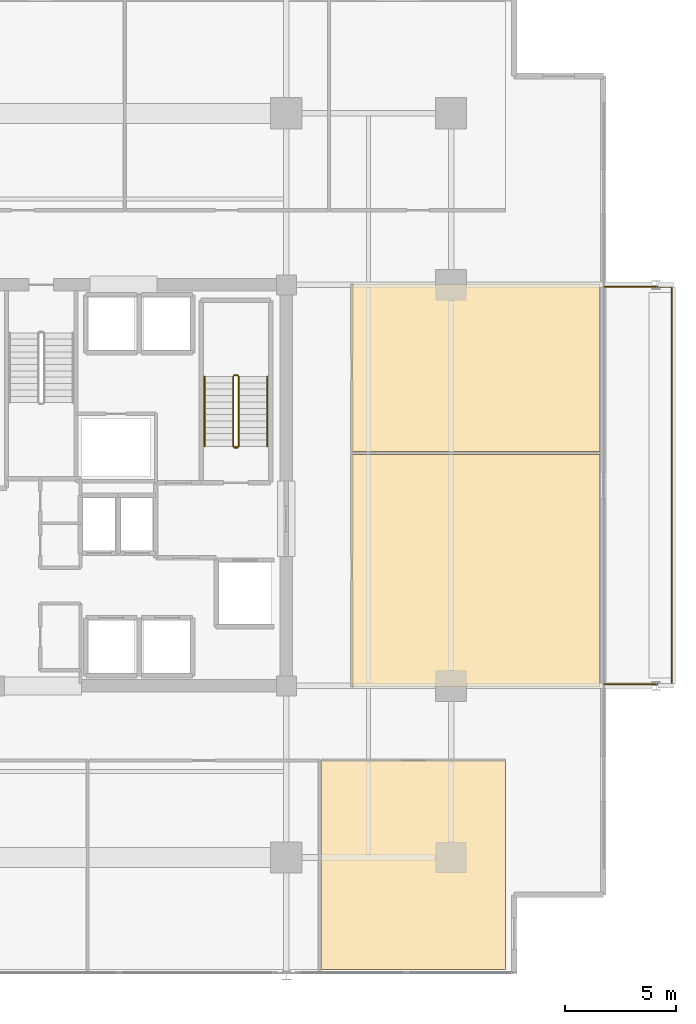
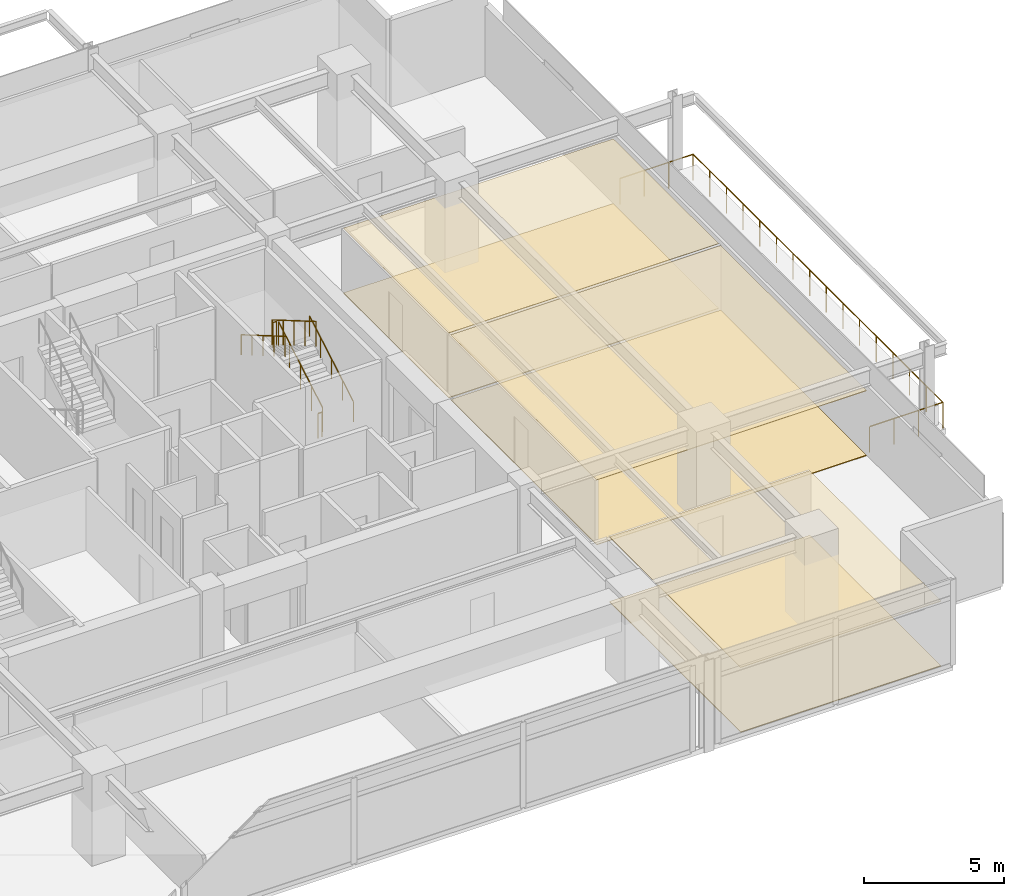
# One storey, part 19 of 20: 7 railings, 6 coverings.
"""IFC4 building model written with IfcOpenShell, lengths in metres."""

from ifc_helpers import new_model, si_unit, direction, frame, origin, origin_2d, place, context, subcontext, project, spatial, polyline, circle, outline, extrude, material, layer, layer_set, type_object, element, save


model = new_model("IFC4")

# Units and contexts
model_context = context("Model", 3, precision=1e-05, world=origin(), true_north=direction((0.0, 1.0)))
body_context = subcontext(model_context, "Body", "Model", "MODEL_VIEW")
ifc_project = project(units=[si_unit("LENGTHUNIT", "METRE"), si_unit("AREAUNIT", "SQUARE_METRE"), si_unit("VOLUMEUNIT", "CUBIC_METRE"), si_unit("PLANEANGLEUNIT", "RADIAN"), si_unit("MASSUNIT", "GRAM", prefix="KILO")], contexts=[model_context])

# Site, building, storey
site_placement = place(None, origin())
site = spatial("IfcSite", under=ifc_project, at=site_placement, CompositionType="ELEMENT")
building_placement = place(site_placement, origin())
building = spatial("IfcBuilding", under=site, at=building_placement, Name="Kovane Verandah Tower", CompositionType="ELEMENT")
storey_placement = place(building_placement, frame((0.0, 0.0, 213.199951171875)))
storey = spatial("IfcBuildingStorey", under=building, at=storey_placement, Name="L49", CompositionType="ELEMENT", Elevation=213.199951171875)

# Coverings
ifc_material_1 = material(Name="Perforated Acoustic Mineral-Fibre Ceiling Tile", Category="gypsum")
ifc_layer_1 = layer(ifc_material_1, 0.02490234375)
ifc_layer_set_1 = layer_set([ifc_layer_1], Name="Perforated Acoustic Mineral-Fibre Ceiling Tile")
covering_type_1 = type_object("IfcCoveringType", Name="CV-CEIL-25", PredefinedType="CEILING", material=ifc_layer_set_1)
covering_1_placement = place(storey_placement, frame((0.0, 0.0, 2.824951171875)))
element("IfcCovering", 1, at=covering_1_placement, inside=storey, type_object=covering_type_1, Name="L49 Executive Office S4 Acoustic Ceiling", PredefinedType="CEILING", context=body_context, shape_type="SweptSolid", body=[
    extrude(outline(polyline([(52.569091796875, 5.769287109375), (60.831787109375, 5.769287109375), (60.831787109375, 15.14990234375), (52.569091796875, 15.14990234375), (52.569091796875, 5.769287109375)])), origin(), (0.0, 0.0, 1.0), 0.025146484375),
])
covering_2_placement = place(storey_placement, frame((0.0, 0.0, 2.824951171875)))
element("IfcCovering", 2, at=covering_2_placement, inside=storey, type_object=covering_type_1, Name="L49 Focus Studio E1 Acoustic Ceiling", PredefinedType="CEILING", context=body_context, shape_type="SweptSolid", body=[
    extrude(outline(polyline([(53.949951171875, 18.449951171875), (65.081787109375, 18.449951171875), (65.081787109375, 28.8779296875), (53.949951171875, 28.8779296875), (53.949951171875, 18.449951171875)])), origin(), (0.0, 0.0, 1.0), 0.025146484375),
])
covering_3_placement = place(storey_placement, frame((0.0, 0.0, 2.824951171875)))
element("IfcCovering", 3, at=covering_3_placement, inside=storey, type_object=covering_type_1, Name="L49 Breakout Pantry E2 Acoustic Ceiling", PredefinedType="CEILING", context=body_context, shape_type="SweptSolid", body=[
    extrude(outline(polyline([(53.949951171875, 29.01806640625), (65.081787109375, 29.01806640625), (65.081787109375, 36.550048828125), (53.949951171875, 36.550048828125), (53.949951171875, 29.01806640625)])), origin(), (0.0, 0.0, 1.0), 0.025146484375),
])
ifc_material_2 = material(Name="Polished Terrazzo and Raised-Access Carpet Tile Finish", Category="concrete")
ifc_layer_2 = layer(ifc_material_2, 0.030029296875)
ifc_layer_set_2 = layer_set([ifc_layer_2], Name="Polished Terrazzo and Raised-Access Carpet Tile Finish")
covering_type_2 = type_object("IfcCoveringType", Name="CV-FLOR-30", PredefinedType="FLOORING", material=ifc_layer_set_2)
covering_4_placement = place(storey_placement, origin())
element("IfcCovering", 4, at=covering_4_placement, inside=storey, type_object=covering_type_2, Name="L49 Executive Office S4 Floor Finish", PredefinedType="FLOORING", context=body_context, shape_type="SweptSolid", body=[
    extrude(outline(polyline([(52.569091796875, 5.769287109375), (60.831787109375, 5.769287109375), (60.831787109375, 15.14990234375), (52.569091796875, 15.14990234375), (52.569091796875, 5.769287109375)])), origin(), (0.0, 0.0, 1.0), 0.030029296875),
])
covering_5_placement = place(storey_placement, origin())
element("IfcCovering", 5, at=covering_5_placement, inside=storey, type_object=covering_type_2, Name="L49 Focus Studio E1 Floor Finish", PredefinedType="FLOORING", context=body_context, shape_type="SweptSolid", body=[
    extrude(outline(polyline([(53.949951171875, 18.449951171875), (65.081787109375, 18.449951171875), (65.081787109375, 28.8779296875), (53.949951171875, 28.8779296875), (53.949951171875, 18.449951171875)])), origin(), (0.0, 0.0, 1.0), 0.030029296875),
])
covering_6_placement = place(storey_placement, origin())
element("IfcCovering", 6, at=covering_6_placement, inside=storey, type_object=covering_type_2, Name="L49 Breakout Pantry E2 Floor Finish", PredefinedType="FLOORING", context=body_context, shape_type="SweptSolid", body=[
    extrude(outline(polyline([(53.949951171875, 29.01806640625), (65.081787109375, 29.01806640625), (65.081787109375, 36.550048828125), (53.949951171875, 36.550048828125), (53.949951171875, 29.01806640625)])), origin(), (0.0, 0.0, 1.0), 0.030029296875),
])

# Railings
ifc_material_3 = material(Name="Laminated Glass and Pale-Champagne Stainless Balustrade", Category="glass")
railing_type_1 = type_object("IfcRailingType", Name="RL-BAL-1150", PredefinedType="BALUSTRADE", material=ifc_material_3)
railing_1_placement = place(storey_placement, frame((65.28173828125, 18.580078125, 0.0)))
element("IfcRailing", 7, at=railing_1_placement, inside=storey, type_object=railing_type_1, Name="L49 E Verandah Glass Balustrade", PredefinedType="BALUSTRADE", context=body_context, shape_type="SweptSolid", body=[
    extrude(circle(Radius=0.02392578125, at=origin_2d()), frame((0.0, 0.0, 1.1259765625), z_axis=(1.0, 0.0, 0.0), x_axis=(0.0, 1.0, 0.0)), (0.0, 0.0, 1.0), 3.02001953125),
    extrude(circle(Radius=0.02392578125, at=origin_2d()), frame((3.02001953125, 0.0, 1.1259765625), z_axis=(0.0, 1.0, 0.0), x_axis=(-1.0, 0.0, 0.0)), (0.0, 0.0, 1.0), 17.83984375),
    extrude(circle(Radius=0.02392578125, at=origin_2d()), frame((3.02001953125, 17.83984375, 1.1259765625), z_axis=(-1.0, 0.0, 0.0), x_axis=(0.0, -1.0, 0.0)), (0.0, 0.0, 1.0), 3.02001953125),
    extrude(circle(Radius=0.02099609375, at=origin_2d()), origin(), (0.0, 0.0, 1.0), 1.101806640625),
    extrude(circle(Radius=0.02099609375, at=origin_2d()), frame((1.006591796875, 0.0, 0.0)), (0.0, 0.0, 1.0), 1.101806640625),
    extrude(circle(Radius=0.02099609375, at=origin_2d()), frame((2.013427734375, 0.0, 0.0)), (0.0, 0.0, 1.0), 1.101806640625),
    extrude(circle(Radius=0.02099609375, at=origin_2d()), frame((3.02001953125, 0.0, 0.0)), (0.0, 0.0, 1.0), 1.101806640625),
    extrude(circle(Radius=0.02099609375, at=origin_2d()), frame((3.02001953125, 1.189208984375, 0.0)), (0.0, 0.0, 1.0), 1.101806640625),
    extrude(circle(Radius=0.02099609375, at=origin_2d()), frame((3.02001953125, 2.378662109375, 0.0)), (0.0, 0.0, 1.0), 1.101806640625),
    extrude(circle(Radius=0.02099609375, at=origin_2d()), frame((3.02001953125, 3.56787109375, 0.0)), (0.0, 0.0, 1.0), 1.101806640625),
    extrude(circle(Radius=0.02099609375, at=origin_2d()), frame((3.02001953125, 4.75732421875, 0.0)), (0.0, 0.0, 1.0), 1.101806640625),
    extrude(circle(Radius=0.02099609375, at=origin_2d()), frame((3.02001953125, 5.946533203125, 0.0)), (0.0, 0.0, 1.0), 1.101806640625),
    extrude(circle(Radius=0.02099609375, at=origin_2d()), frame((3.02001953125, 7.135986328125, 0.0)), (0.0, 0.0, 1.0), 1.101806640625),
    extrude(circle(Radius=0.02099609375, at=origin_2d()), frame((3.02001953125, 8.3251953125, 0.0)), (0.0, 0.0, 1.0), 1.101806640625),
    extrude(circle(Radius=0.02099609375, at=origin_2d()), frame((3.02001953125, 9.5146484375, 0.0)), (0.0, 0.0, 1.0), 1.101806640625),
    extrude(circle(Radius=0.02099609375, at=origin_2d()), frame((3.02001953125, 10.703857421875, 0.0)), (0.0, 0.0, 1.0), 1.101806640625),
    extrude(circle(Radius=0.02099609375, at=origin_2d()), frame((3.02001953125, 11.893310546875, 0.0)), (0.0, 0.0, 1.0), 1.101806640625),
    extrude(circle(Radius=0.02099609375, at=origin_2d()), frame((3.02001953125, 13.08251953125, 0.0)), (0.0, 0.0, 1.0), 1.101806640625),
    extrude(circle(Radius=0.02099609375, at=origin_2d()), frame((3.02001953125, 14.27197265625, 0.0)), (0.0, 0.0, 1.0), 1.101806640625),
    extrude(circle(Radius=0.02099609375, at=origin_2d()), frame((3.02001953125, 15.461181640625, 0.0)), (0.0, 0.0, 1.0), 1.101806640625),
    extrude(circle(Radius=0.02099609375, at=origin_2d()), frame((3.02001953125, 16.650634765625, 0.0)), (0.0, 0.0, 1.0), 1.101806640625),
    extrude(circle(Radius=0.02099609375, at=origin_2d()), frame((3.02001953125, 17.83984375, 0.0)), (0.0, 0.0, 1.0), 1.101806640625),
    extrude(circle(Radius=0.02099609375, at=origin_2d()), frame((2.013427734375, 17.83984375, 0.0)), (0.0, 0.0, 1.0), 1.101806640625),
    extrude(circle(Radius=0.02099609375, at=origin_2d()), frame((1.006591796875, 17.83984375, 0.0)), (0.0, 0.0, 1.0), 1.101806640625),
    extrude(circle(Radius=0.02099609375, at=origin_2d()), frame((0.0, 17.83984375, 0.0)), (0.0, 0.0, 1.0), 1.101806640625),
])
ifc_material_4 = material(Name="Brushed Stainless Steel Handrail", Category="steel")
railing_type_2 = type_object("IfcRailingType", Name="RL-HAND-920", PredefinedType="HANDRAIL", material=ifc_material_4)
railing_2_placement = place(storey_placement, frame((50.14990234375, 29.25, 0.166748046875)))
element("IfcRailing", 8, at=railing_2_placement, inside=storey, type_object=railing_type_2, Name="L49 ST-02 stair handrail 1", PredefinedType="HANDRAIL", context=body_context, shape_type="SweptSolid", body=[
    extrude(circle(Radius=0.02392578125, at=origin_2d()), frame((0.0, 0.0, 0.8759765625), z_axis=(0.0, 0.863239559939, 0.504794475164), x_axis=(-1.0, 0.0, 0.0)), (0.0, 0.0, 1.0), 3.631591796875),
    extrude(circle(Radius=0.02099609375, at=origin_2d()), origin(), (0.0, 0.0, 1.0), 0.851806640625),
    extrude(circle(Radius=0.02099609375, at=origin_2d()), frame((0.0, 0.78369140625, 0.458251953125)), (0.0, 0.0, 1.0), 0.851806640625),
    extrude(circle(Radius=0.02099609375, at=origin_2d()), frame((0.0, 1.5673828125, 0.91650390625)), (0.0, 0.0, 1.0), 0.851806640625),
    extrude(circle(Radius=0.02099609375, at=origin_2d()), frame((0.0, 2.351318359375, 1.375)), (0.0, 0.0, 1.0), 0.851806640625),
    extrude(circle(Radius=0.02099609375, at=origin_2d()), frame((0.0, 3.135009765625, 1.833251953125)), (0.0, 0.0, 1.0), 0.851806640625),
])
railing_3_placement = place(storey_placement, frame((47.330078125, 32.385009765625, 2.166748046875)))
element("IfcRailing", 9, at=railing_3_placement, inside=storey, type_object=railing_type_2, Name="L49 ST-02 stair handrail 2", PredefinedType="HANDRAIL", context=body_context, shape_type="SweptSolid", body=[
    extrude(circle(Radius=0.02392578125, at=origin_2d()), frame((0.0, 0.0, 0.8759765625), z_axis=(0.0, -0.863239559939, 0.504794475164), x_axis=(1.0, 0.0, 0.0)), (0.0, 0.0, 1.0), 3.631591796875),
    extrude(circle(Radius=0.02099609375, at=origin_2d()), origin(), (0.0, 0.0, 1.0), 0.851806640625),
    extrude(circle(Radius=0.02099609375, at=origin_2d()), frame((0.0, -0.78369140625, 0.458251953125)), (0.0, 0.0, 1.0), 0.851806640625),
    extrude(circle(Radius=0.02099609375, at=origin_2d()), frame((0.0, -1.5673828125, 0.91650390625)), (0.0, 0.0, 1.0), 0.851806640625),
    extrude(circle(Radius=0.02099609375, at=origin_2d()), frame((0.0, -2.351318359375, 1.375)), (0.0, 0.0, 1.0), 0.851806640625),
    extrude(circle(Radius=0.02099609375, at=origin_2d()), frame((0.0, -3.135009765625, 1.833251953125)), (0.0, 0.0, 1.0), 0.851806640625),
])
ifc_material_5 = material(Name="Painted Steel Stairwell Guardrail", Category="steel")
railing_type_3 = type_object("IfcRailingType", Name="RL-STGUARD-1120", PredefinedType="GUARDRAIL", material=ifc_material_5)
railing_4_placement = place(storey_placement, frame((48.8701171875, 29.25, 0.166748046875)))
element("IfcRailing", 10, at=railing_4_placement, inside=storey, type_object=railing_type_3, Name="L49 ST-02 stair guard 1", PredefinedType="GUARDRAIL", context=body_context, shape_type="SweptSolid", body=[
    extrude(circle(Radius=0.02392578125, at=origin_2d()), frame((0.0, 0.0, 1.076171875), z_axis=(0.0, 0.863239559939, 0.504794475164), x_axis=(-1.0, 0.0, 0.0)), (0.0, 0.0, 1.0), 3.631591796875),
    extrude(circle(Radius=0.02099609375, at=origin_2d()), origin(), (0.0, 0.0, 1.0), 1.052001953125),
    extrude(circle(Radius=0.02099609375, at=origin_2d()), frame((0.0, 0.78369140625, 0.458251953125)), (0.0, 0.0, 1.0), 1.052001953125),
    extrude(circle(Radius=0.02099609375, at=origin_2d()), frame((0.0, 1.5673828125, 0.91650390625)), (0.0, 0.0, 1.0), 1.052001953125),
    extrude(circle(Radius=0.02099609375, at=origin_2d()), frame((0.0, 2.351318359375, 1.375)), (0.0, 0.0, 1.0), 1.052001953125),
    extrude(circle(Radius=0.02099609375, at=origin_2d()), frame((0.0, 3.135009765625, 1.833251953125)), (0.0, 0.0, 1.0), 1.052001953125),
])
railing_5_placement = place(storey_placement, frame((48.820068359375, 32.43505859375, 2.0)))
element("IfcRailing", 11, at=railing_5_placement, inside=storey, type_object=railing_type_3, Name="L49 ST-02 stair guard 2", PredefinedType="GUARDRAIL", context=body_context, shape_type="SweptSolid", body=[
    extrude(circle(Radius=0.02392578125, at=origin_2d()), frame((0.0, 0.0, 1.076171875), z_axis=(-1.0, 0.0, 0.0), x_axis=(0.0, -1.0, 0.0)), (0.0, 0.0, 1.0), 0.16015625),
    extrude(circle(Radius=0.02099609375, at=origin_2d()), origin(), (0.0, 0.0, 1.0), 1.052001953125),
    extrude(circle(Radius=0.02099609375, at=origin_2d()), frame((-0.16015625, 0.0, 0.0)), (0.0, 0.0, 1.0), 1.052001953125),
])
railing_6_placement = place(storey_placement, frame((48.610107421875, 32.385009765625, 2.166748046875)))
element("IfcRailing", 12, at=railing_6_placement, inside=storey, type_object=railing_type_3, Name="L49 ST-02 stair guard 3", PredefinedType="GUARDRAIL", context=body_context, shape_type="SweptSolid", body=[
    extrude(circle(Radius=0.02392578125, at=origin_2d()), frame((0.0, 0.0, 1.076171875), z_axis=(0.0, -0.863239559939, 0.504794475164), x_axis=(1.0, 0.0, 0.0)), (0.0, 0.0, 1.0), 3.631591796875),
    extrude(circle(Radius=0.02099609375, at=origin_2d()), origin(), (0.0, 0.0, 1.0), 1.052001953125),
    extrude(circle(Radius=0.02099609375, at=origin_2d()), frame((0.0, -0.78369140625, 0.458251953125)), (0.0, 0.0, 1.0), 1.052001953125),
    extrude(circle(Radius=0.02099609375, at=origin_2d()), frame((0.0, -1.5673828125, 0.91650390625)), (0.0, 0.0, 1.0), 1.052001953125),
    extrude(circle(Radius=0.02099609375, at=origin_2d()), frame((0.0, -2.351318359375, 1.375)), (0.0, 0.0, 1.0), 1.052001953125),
    extrude(circle(Radius=0.02099609375, at=origin_2d()), frame((0.0, -3.135009765625, 1.833251953125)), (0.0, 0.0, 1.0), 1.052001953125),
])
railing_7_placement = place(storey_placement, frame((48.820068359375, 29.199951171875, 0.0)))
element("IfcRailing", 13, at=railing_7_placement, inside=storey, type_object=railing_type_3, Name="L49 ST-02 stair guard 4", PredefinedType="GUARDRAIL", context=body_context, shape_type="SweptSolid", body=[
    extrude(circle(Radius=0.02392578125, at=origin_2d()), frame((0.0, 0.0, 1.076171875), z_axis=(-1.0, 0.0, 0.0), x_axis=(0.0, -1.0, 0.0)), (0.0, 0.0, 1.0), 0.16015625),
    extrude(circle(Radius=0.02099609375, at=origin_2d()), origin(), (0.0, 0.0, 1.0), 1.052001953125),
    extrude(circle(Radius=0.02099609375, at=origin_2d()), frame((-0.16015625, 0.0, 0.0)), (0.0, 0.0, 1.0), 1.052001953125),
])

save(model, "model.ifc")
